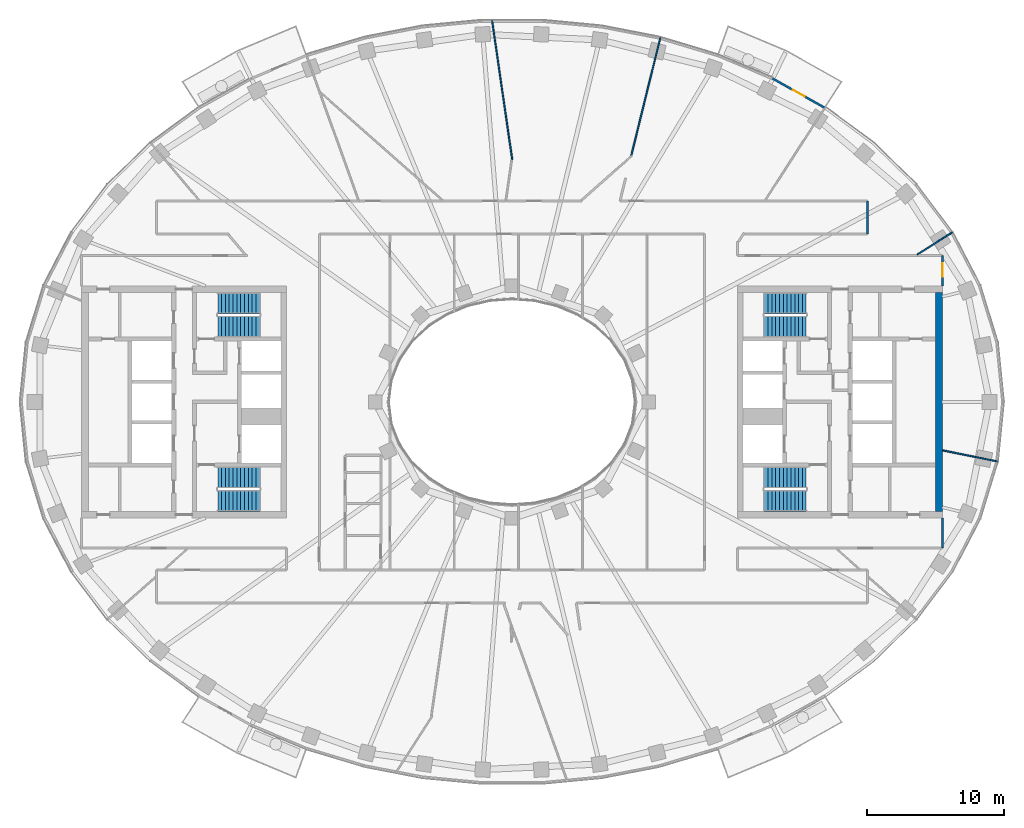
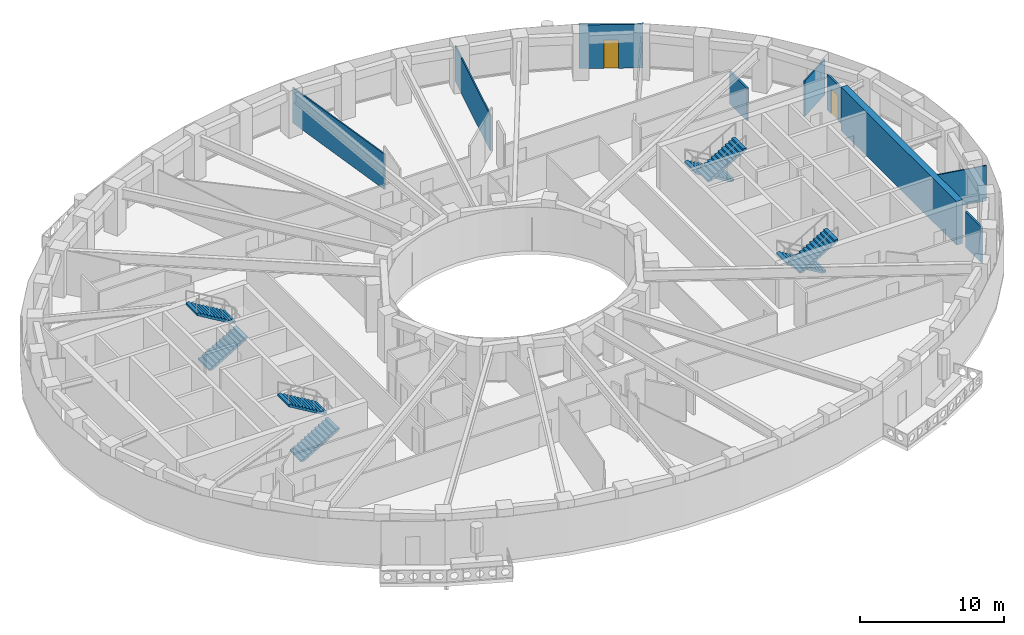
# One storey, part 7 of 15: 9 walls, 8 stair flights, 2 doors, 2 openings, 4 elements without a shape of their own.
"""IFC4 building model written with IfcOpenShell, lengths in metres."""

from ifc_helpers import new_model, si_unit, direction, frame, frame_2d, origin, place, context, subcontext, project, spatial, polyline, rectangle, outline, extrude, material, layer, layer_set, type_object, element, fill, aggregate, save


model = new_model("IFC4")

# Units and contexts
model_context = context("Model", 3, precision=1e-05, world=origin(), true_north=direction((0.0, 1.0)))
body_context = subcontext(model_context, "Body", "Model", "MODEL_VIEW")
ifc_project = project(units=[si_unit("LENGTHUNIT", "METRE"), si_unit("AREAUNIT", "SQUARE_METRE"), si_unit("VOLUMEUNIT", "CUBIC_METRE"), si_unit("PLANEANGLEUNIT", "RADIAN"), si_unit("MASSUNIT", "GRAM", prefix="KILO")], contexts=[model_context])

# Site, building, storey
site_placement = place(None, origin())
site = spatial("IfcSite", under=ifc_project, at=site_placement, CompositionType="ELEMENT")
building_placement = place(site_placement, origin())
building = spatial("IfcBuilding", under=site, at=building_placement, Name="Noorbagh Ring Tower", CompositionType="ELEMENT")
storey_placement = place(building_placement, frame((0.0, 0.0, 253.5)))
storey = spatial("IfcBuildingStorey", under=building, at=storey_placement, Name="L53", CompositionType="ELEMENT", Elevation=253.5)

# Walls
ifc_material_1 = material(Name="Concrete C60/75", Category="concrete")
ifc_layer_1 = layer(ifc_material_1, 0.5)
ifc_layer_set_1 = layer_set([ifc_layer_1], Name="Concrete C60/75")
wall_type_1 = type_object("IfcWallType", Name="CORE-WALL-500-C60-75-EI240", PredefinedType="SHEAR", material=ifc_layer_set_1)
wall_1_placement = place(storey_placement, frame((31.25, -8.0, 0.0), z_axis=(0.0, 0.0, 1.0), x_axis=(0.0, 1.0, 0.0)))
element("IfcWall", 1, at=wall_1_placement, inside=storey, type_object=wall_type_1, Name="Core wall E", PredefinedType="SHEAR", context=body_context, shape_type="SweptSolid", body=[
    extrude(rectangle(XDim=16.0, YDim=0.5, at=frame_2d((8.0, 0.0))), origin(), (0.0, 0.0, 1.0), 3.699951171875),
])
ifc_material_2 = material(Name="Gypsum board on steel studs", Category="steel")
ifc_layer_2 = layer(ifc_material_2, 0.14990234375)
ifc_layer_set_2 = layer_set([ifc_layer_2], Name="Gypsum board on steel studs")
wall_type_2 = type_object("IfcWallType", Name="CORRIDOR PARTITION 150 EI 30", PredefinedType="PARTITIONING", material=ifc_layer_set_2)
wall_2_placement = place(storey_placement, frame((26.0, 12.300048828125, 0.0), z_axis=(0.0, 0.0, 1.0), x_axis=(0.0, 1.0, 0.0)))
element("IfcWall", 2, at=wall_2_placement, inside=storey, type_object=wall_type_2, Name="L53/wall/P72", PredefinedType="PARTITIONING", context=body_context, shape_type="SweptSolid", body=[
    extrude(rectangle(XDim=2.39990234375, YDim=0.14990234375, at=frame_2d((1.199951171875, 0.0))), origin(), (0.0, 0.0, 1.0), 2.75),
])
wall_3_placement = place(storey_placement, frame((31.5, -10.699951171875, 0.0), z_axis=(0.0, 0.0, 1.0), x_axis=(0.0, 1.0, 0.0)))
element("IfcWall", 3, at=wall_3_placement, inside=storey, type_object=wall_type_2, Name="L53/wall/P74", PredefinedType="PARTITIONING", context=body_context, shape_type="SweptSolid", body=[
    extrude(rectangle(XDim=2.199951171875, YDim=0.14990234375, at=frame_2d((1.10009765625, 0.0))), origin(), (0.0, 0.0, 1.0), 3.0),
])

# Wall, opening, door
wall_4_placement = place(storey_placement, frame((31.5, 8.5, 0.0), z_axis=(0.0, 0.0, 1.0), x_axis=(0.0, 1.0, 0.0)))
wall_4 = element("IfcWall", 4, at=wall_4_placement, inside=storey, type_object=wall_type_2, Name="L53/wall/P76", PredefinedType="PARTITIONING", context=body_context, shape_type="SweptSolid", body=[
    extrude(rectangle(XDim=2.199951171875, YDim=0.14990234375, at=frame_2d((1.10009765625, 0.0))), origin(), (0.0, 0.0, 1.0), 3.0),
])
opening_1_placement = place(wall_4_placement, frame((0.64990234375, 0.0, 0.0)))
opening_1 = element("IfcOpeningElement", 5, at=opening_1_placement, cuts=wall_4, Name="Opening D1", PredefinedType="OPENING", context=body_context, shape_type="SweptSolid", body=[
    extrude(rectangle(XDim=1.0, YDim=2.10009765625, at=frame_2d((0.5, 1.050048828125))), frame((0.0, 0.0849609375, 0.0), z_axis=(0.0, -1.0, 0.0), x_axis=(1.0, 0.0, 0.0)), (0.0, 0.0, 1.0), 0.169921875),
])
ifc_material_3 = material(Name="Timber, painted", Category="wood")
door_type_1 = type_object("IfcDoorType", Name="DOOR 1000 X 2100 FD30", OperationType="SINGLE_SWING_LEFT", PredefinedType="DOOR", material=ifc_material_3)
door_1_placement = place(opening_1_placement, origin())
door_1 = element("IfcDoor", 6, at=door_1_placement, inside=storey, type_object=door_type_1, Name="L53-D20", OperationType="SINGLE_SWING_RIGHT", OverallHeight=2.10009765625, OverallWidth=1.0, PredefinedType="DOOR", context=body_context, shape_type="SweptSolid", body=[
    extrude(rectangle(XDim=1.0, YDim=2.10009765625, at=frame_2d((0.5, 1.050048828125))), frame((0.0, 0.02490234375, 0.0), z_axis=(0.0, -1.0, 0.0), x_axis=(1.0, 0.0, 0.0)), (0.0, 0.0, 1.0), 0.050048828125),
])
fill(opening_1, door_1)

ifc_material_4 = material(Name="Insulated aluminium clad panel", Category="aluminium")
ifc_layer_3 = layer(ifc_material_4, 0.14990234375)
ifc_layer_set_3 = layer_set([ifc_layer_3], Name="Insulated aluminium clad panel")
wall_type_3 = type_object("IfcWallType", Name="ENV-WALL-DOOR", PredefinedType="STANDARD", material=ifc_layer_set_3)
wall_5_placement = place(storey_placement, frame((22.913330078125, 21.508544921875, 0.0), z_axis=(0.0, 0.0, 1.0), x_axis=(-0.872046572975, 0.489422899509, 0.0)))
wall_5 = element("IfcWall", 7, at=wall_5_placement, inside=storey, type_object=wall_type_3, Name="Balcony door wall chord 07", PredefinedType="STANDARD", context=body_context, shape_type="SweptSolid", body=[
    extrude(rectangle(XDim=4.425537109375, YDim=0.14990234375, at=frame_2d((2.212890625, 0.0))), origin(), (0.0, 0.0, 1.0), 3.699951171875),
])
opening_2_placement = place(wall_5_placement, frame((1.712646484375, 0.0, 0.0)))
opening_2 = element("IfcOpeningElement", 8, at=opening_2_placement, cuts=wall_5, Name="Opening D-BL", PredefinedType="OPENING", context=body_context, shape_type="SweptSolid", body=[
    extrude(rectangle(XDim=1.0, YDim=2.39990234375, at=frame_2d((0.5, 1.199951171875))), frame((0.0, 0.0849609375, 0.0), z_axis=(0.0, -1.0, 0.0), x_axis=(1.0, 0.0, 0.0)), (0.0, 0.0, 1.0), 0.169921875),
])
ifc_material_5 = material(Name="Aluminium and glass", Category="aluminium")
door_type_2 = type_object("IfcDoorType", Name="ENV-DOOR-BALCONY", OperationType="SINGLE_SWING_LEFT", PredefinedType="DOOR", material=ifc_material_5)
door_2_placement = place(opening_2_placement, origin())
door_2 = element("IfcDoor", 9, at=door_2_placement, inside=storey, type_object=door_type_2, Name="Balcony door chord 07", OperationType="SINGLE_SWING_RIGHT", OverallHeight=2.39990234375, OverallWidth=1.0, PredefinedType="DOOR", context=body_context, shape_type="SweptSolid", body=[
    extrude(rectangle(XDim=1.0, YDim=2.39990234375, at=frame_2d((0.5, 1.199951171875))), frame((0.0, 0.02490234375, 0.0), z_axis=(0.0, -1.0, 0.0), x_axis=(1.0, 0.0, 0.0)), (0.0, 0.0, 1.0), 0.050048828125),
])
fill(opening_2, door_2)

# Walls
ifc_material_6 = material(Name="Gypsum board on steel studs", Category="steel")
ifc_layer_4 = layer(ifc_material_6, 0.10009765625)
ifc_layer_set_4 = layer_set([ifc_layer_4], Name="Gypsum board on steel studs")
wall_type_4 = type_object("IfcWallType", Name="PARTITION 100 GYPSUM", PredefinedType="PARTITIONING", material=ifc_layer_set_4)
wall_6_placement = place(storey_placement, frame((-1.452880859375, 27.89404296875, 0.0), z_axis=(0.0, 0.0, 1.0), x_axis=(0.143027592995, -0.989718701269, 0.0)))
element("IfcWall", 10, at=wall_6_placement, inside=storey, type_object=wall_type_4, Name="L53/wall/P38", PredefinedType="PARTITIONING", context=body_context, shape_type="SweptSolid", body=[
    extrude(rectangle(XDim=10.298095703125, YDim=0.10009765625, at=frame_2d((5.14892578125, 0.0))), origin(), (0.0, 0.0, 1.0), 3.0),
])
wall_7_placement = place(storey_placement, frame((8.72900390625, 18.0458984375, 0.0), z_axis=(0.0, 0.0, 1.0), x_axis=(0.239772155265, 0.970829188663, 0.0)))
element("IfcWall", 11, at=wall_7_placement, inside=storey, type_object=wall_type_4, Name="L53/wall/P58", PredefinedType="PARTITIONING", context=body_context, shape_type="SweptSolid", body=[
    extrude(rectangle(XDim=8.8583984375, YDim=0.10009765625, at=frame_2d((4.42919921875, 0.0))), origin(), (0.0, 0.0, 1.0), 3.0),
])
wall_8_placement = place(storey_placement, frame((29.636962890625, 10.777099609375, 0.0), z_axis=(0.0, 0.0, 1.0), x_axis=(0.844810627195, 0.535065420467, 0.0)))
element("IfcWall", 12, at=wall_8_placement, inside=storey, type_object=wall_type_4, Name="L53/wall/P73", PredefinedType="PARTITIONING", context=body_context, shape_type="SweptSolid", body=[
    extrude(rectangle(XDim=3.0478515625, YDim=0.10009765625, at=frame_2d((1.52392578125, 0.0))), origin(), (0.0, 0.0, 1.0), 3.0),
])
wall_9_placement = place(storey_placement, frame((31.5, -3.5419921875, 0.0), z_axis=(0.0, 0.0, 1.0), x_axis=(0.980357474535, -0.197228857227, 0.0)))
element("IfcWall", 13, at=wall_9_placement, inside=storey, type_object=wall_type_4, Name="L53/wall/P75", PredefinedType="PARTITIONING", context=body_context, shape_type="SweptSolid", body=[
    extrude(rectangle(XDim=4.09228515625, YDim=0.10009765625, at=frame_2d((2.046142578125, 0.0))), origin(), (0.0, 0.0, 1.0), 3.0),
])

# Stair, stair flights
ifc_material_7 = material(Name="Concrete C40/50", Category="concrete")
stair_type = type_object("IfcStairType", Name="CORE-STAIR", PredefinedType="HALF_TURN_STAIR", material=ifc_material_7)
stair_1_placement = place(storey_placement, origin())
stair_1 = element("IfcStair", 14, at=stair_1_placement, inside=storey, type_object=stair_type, Name="L53 Exit stair ST1", PredefinedType="HALF_TURN_STAIR")
ifc_material_8 = material(Name="Concrete C40/50", Category="concrete")
stair_flight_type = type_object("IfcStairFlightType", Name="CORE-STAIR-FLIGHT", PredefinedType="STRAIGHT", material=ifc_material_8)
stair_flight_1_placement = place(storey_placement, frame((-21.530029296875, 5.52490234375, 0.0), z_axis=(0.0, 0.0, 1.0), x_axis=(1.0, 0.0, 0.0)))
stair_flight_1 = element("IfcStairFlight", 15, at=stair_flight_1_placement, type_object=stair_flight_type, Name="ST1 flight 1", NumberOfRisers=12, NumberOfTreads=11, PredefinedType="STRAIGHT", RiserHeight=0.166666667, TreadLength=0.28, context=body_context, shape_type="SweptSolid", body=[
    extrude(outline(polyline([(0.0, 0.0), (0.0, 0.166748046875), (0.280029296875, 0.166748046875), (0.280029296875, 0.333251953125), (0.56005859375, 0.333251953125), (0.56005859375, 0.5), (0.840087890625, 0.5), (0.840087890625, 0.666748046875), (1.1201171875, 0.666748046875), (1.1201171875, 0.833251953125), (1.39990234375, 0.833251953125), (1.39990234375, 1.0), (1.679931640625, 1.0), (1.679931640625, 1.166748046875), (1.9599609375, 1.166748046875), (1.9599609375, 1.333251953125), (2.239990234375, 1.333251953125), (2.239990234375, 1.5), (2.52001953125, 1.5), (2.52001953125, 1.666748046875), (2.800048828125, 1.666748046875), (2.800048828125, 1.833251953125), (3.080078125, 1.833251953125), (3.080078125, 2.0), (3.080078125, 1.658935546875), (0.29296875, 0.0), (0.0, 0.0)])), frame((0.0, 0.77490234375, 0.0), z_axis=(0.0, -1.0, 0.0), x_axis=(1.0, 0.0, 0.0)), (0.0, 0.0, 1.0), 1.550048828125),
])
stair_flight_2_placement = place(storey_placement, frame((-18.449951171875, 7.22509765625, 2.0), z_axis=(0.0, 0.0, 1.0), x_axis=(-1.0, 0.0, 0.0)))
stair_flight_2 = element("IfcStairFlight", 16, at=stair_flight_2_placement, type_object=stair_flight_type, Name="ST1 flight 2", NumberOfRisers=12, NumberOfTreads=11, PredefinedType="STRAIGHT", RiserHeight=0.166666667, TreadLength=0.28, context=body_context, shape_type="SweptSolid", body=[
    extrude(outline(polyline([(0.0, 0.0), (0.0, 0.166748046875), (0.280029296875, 0.166748046875), (0.280029296875, 0.333251953125), (0.56005859375, 0.333251953125), (0.56005859375, 0.5), (0.840087890625, 0.5), (0.840087890625, 0.666748046875), (1.1201171875, 0.666748046875), (1.1201171875, 0.833251953125), (1.39990234375, 0.833251953125), (1.39990234375, 1.0), (1.679931640625, 1.0), (1.679931640625, 1.166748046875), (1.9599609375, 1.166748046875), (1.9599609375, 1.333251953125), (2.239990234375, 1.333251953125), (2.239990234375, 1.5), (2.52001953125, 1.5), (2.52001953125, 1.666748046875), (2.800048828125, 1.666748046875), (2.800048828125, 1.833251953125), (3.080078125, 1.833251953125), (3.080078125, 2.0), (3.080078125, 1.658935546875), (0.29296875, 0.0), (0.0, 0.0)])), frame((0.0, 0.77490234375, 0.0), z_axis=(0.0, -1.0, 0.0), x_axis=(1.0, 0.0, 0.0)), (0.0, 0.0, 1.0), 1.550048828125),
])
aggregate(stair_1, [stair_flight_1, stair_flight_2])

stair_2_placement = place(storey_placement, origin())
stair_2 = element("IfcStair", 17, at=stair_2_placement, inside=storey, type_object=stair_type, Name="L53 Exit stair ST2", PredefinedType="HALF_TURN_STAIR")
stair_flight_3_placement = place(storey_placement, frame((-21.530029296875, -7.22509765625, 0.0), z_axis=(0.0, 0.0, 1.0), x_axis=(1.0, 0.0, 0.0)))
stair_flight_3 = element("IfcStairFlight", 18, at=stair_flight_3_placement, type_object=stair_flight_type, Name="ST2 flight 1", NumberOfRisers=12, NumberOfTreads=11, PredefinedType="STRAIGHT", RiserHeight=0.166666667, TreadLength=0.28, context=body_context, shape_type="SweptSolid", body=[
    extrude(outline(polyline([(0.0, 0.0), (0.0, 0.166748046875), (0.280029296875, 0.166748046875), (0.280029296875, 0.333251953125), (0.56005859375, 0.333251953125), (0.56005859375, 0.5), (0.840087890625, 0.5), (0.840087890625, 0.666748046875), (1.1201171875, 0.666748046875), (1.1201171875, 0.833251953125), (1.39990234375, 0.833251953125), (1.39990234375, 1.0), (1.679931640625, 1.0), (1.679931640625, 1.166748046875), (1.9599609375, 1.166748046875), (1.9599609375, 1.333251953125), (2.239990234375, 1.333251953125), (2.239990234375, 1.5), (2.52001953125, 1.5), (2.52001953125, 1.666748046875), (2.800048828125, 1.666748046875), (2.800048828125, 1.833251953125), (3.080078125, 1.833251953125), (3.080078125, 2.0), (3.080078125, 1.658935546875), (0.29296875, 0.0), (0.0, 0.0)])), frame((0.0, 0.77490234375, 0.0), z_axis=(0.0, -1.0, 0.0), x_axis=(1.0, 0.0, 0.0)), (0.0, 0.0, 1.0), 1.550048828125),
])
stair_flight_4_placement = place(storey_placement, frame((-18.449951171875, -5.52490234375, 2.0), z_axis=(0.0, 0.0, 1.0), x_axis=(-1.0, 0.0, 0.0)))
stair_flight_4 = element("IfcStairFlight", 19, at=stair_flight_4_placement, type_object=stair_flight_type, Name="ST2 flight 2", NumberOfRisers=12, NumberOfTreads=11, PredefinedType="STRAIGHT", RiserHeight=0.166666667, TreadLength=0.28, context=body_context, shape_type="SweptSolid", body=[
    extrude(outline(polyline([(0.0, 0.0), (0.0, 0.166748046875), (0.280029296875, 0.166748046875), (0.280029296875, 0.333251953125), (0.56005859375, 0.333251953125), (0.56005859375, 0.5), (0.840087890625, 0.5), (0.840087890625, 0.666748046875), (1.1201171875, 0.666748046875), (1.1201171875, 0.833251953125), (1.39990234375, 0.833251953125), (1.39990234375, 1.0), (1.679931640625, 1.0), (1.679931640625, 1.166748046875), (1.9599609375, 1.166748046875), (1.9599609375, 1.333251953125), (2.239990234375, 1.333251953125), (2.239990234375, 1.5), (2.52001953125, 1.5), (2.52001953125, 1.666748046875), (2.800048828125, 1.666748046875), (2.800048828125, 1.833251953125), (3.080078125, 1.833251953125), (3.080078125, 2.0), (3.080078125, 1.658935546875), (0.29296875, 0.0), (0.0, 0.0)])), frame((0.0, 0.77490234375, 0.0), z_axis=(0.0, -1.0, 0.0), x_axis=(1.0, 0.0, 0.0)), (0.0, 0.0, 1.0), 1.550048828125),
])
aggregate(stair_2, [stair_flight_3, stair_flight_4])

stair_3_placement = place(storey_placement, origin())
stair_3 = element("IfcStair", 20, at=stair_3_placement, inside=storey, type_object=stair_type, Name="L53 Exit stair ST3", PredefinedType="HALF_TURN_STAIR")
stair_flight_5_placement = place(storey_placement, frame((21.530029296875, 7.22509765625, 0.0), z_axis=(0.0, 0.0, 1.0), x_axis=(-1.0, 0.0, 0.0)))
stair_flight_5 = element("IfcStairFlight", 21, at=stair_flight_5_placement, type_object=stair_flight_type, Name="ST3 flight 1", NumberOfRisers=12, NumberOfTreads=11, PredefinedType="STRAIGHT", RiserHeight=0.166666667, TreadLength=0.28, context=body_context, shape_type="SweptSolid", body=[
    extrude(outline(polyline([(0.0, 0.0), (0.0, 0.166748046875), (0.280029296875, 0.166748046875), (0.280029296875, 0.333251953125), (0.56005859375, 0.333251953125), (0.56005859375, 0.5), (0.840087890625, 0.5), (0.840087890625, 0.666748046875), (1.1201171875, 0.666748046875), (1.1201171875, 0.833251953125), (1.39990234375, 0.833251953125), (1.39990234375, 1.0), (1.679931640625, 1.0), (1.679931640625, 1.166748046875), (1.9599609375, 1.166748046875), (1.9599609375, 1.333251953125), (2.239990234375, 1.333251953125), (2.239990234375, 1.5), (2.52001953125, 1.5), (2.52001953125, 1.666748046875), (2.800048828125, 1.666748046875), (2.800048828125, 1.833251953125), (3.080078125, 1.833251953125), (3.080078125, 2.0), (3.080078125, 1.658935546875), (0.29296875, 0.0), (0.0, 0.0)])), frame((0.0, 0.77490234375, 0.0), z_axis=(0.0, -1.0, 0.0), x_axis=(1.0, 0.0, 0.0)), (0.0, 0.0, 1.0), 1.550048828125),
])
stair_flight_6_placement = place(storey_placement, frame((18.449951171875, 5.52490234375, 2.0), z_axis=(0.0, 0.0, 1.0), x_axis=(1.0, 0.0, 0.0)))
stair_flight_6 = element("IfcStairFlight", 22, at=stair_flight_6_placement, type_object=stair_flight_type, Name="ST3 flight 2", NumberOfRisers=12, NumberOfTreads=11, PredefinedType="STRAIGHT", RiserHeight=0.166666667, TreadLength=0.28, context=body_context, shape_type="SweptSolid", body=[
    extrude(outline(polyline([(0.0, 0.0), (0.0, 0.166748046875), (0.280029296875, 0.166748046875), (0.280029296875, 0.333251953125), (0.56005859375, 0.333251953125), (0.56005859375, 0.5), (0.840087890625, 0.5), (0.840087890625, 0.666748046875), (1.1201171875, 0.666748046875), (1.1201171875, 0.833251953125), (1.39990234375, 0.833251953125), (1.39990234375, 1.0), (1.679931640625, 1.0), (1.679931640625, 1.166748046875), (1.9599609375, 1.166748046875), (1.9599609375, 1.333251953125), (2.239990234375, 1.333251953125), (2.239990234375, 1.5), (2.52001953125, 1.5), (2.52001953125, 1.666748046875), (2.800048828125, 1.666748046875), (2.800048828125, 1.833251953125), (3.080078125, 1.833251953125), (3.080078125, 2.0), (3.080078125, 1.658935546875), (0.29296875, 0.0), (0.0, 0.0)])), frame((0.0, 0.77490234375, 0.0), z_axis=(0.0, -1.0, 0.0), x_axis=(1.0, 0.0, 0.0)), (0.0, 0.0, 1.0), 1.550048828125),
])
aggregate(stair_3, [stair_flight_5, stair_flight_6])

stair_4_placement = place(storey_placement, origin())
stair_4 = element("IfcStair", 23, at=stair_4_placement, inside=storey, type_object=stair_type, Name="L53 Exit stair ST4", PredefinedType="HALF_TURN_STAIR")
stair_flight_7_placement = place(storey_placement, frame((21.530029296875, -5.52490234375, 0.0), z_axis=(0.0, 0.0, 1.0), x_axis=(-1.0, 0.0, 0.0)))
stair_flight_7 = element("IfcStairFlight", 24, at=stair_flight_7_placement, type_object=stair_flight_type, Name="ST4 flight 1", NumberOfRisers=12, NumberOfTreads=11, PredefinedType="STRAIGHT", RiserHeight=0.166666667, TreadLength=0.28, context=body_context, shape_type="SweptSolid", body=[
    extrude(outline(polyline([(0.0, 0.0), (0.0, 0.166748046875), (0.280029296875, 0.166748046875), (0.280029296875, 0.333251953125), (0.56005859375, 0.333251953125), (0.56005859375, 0.5), (0.840087890625, 0.5), (0.840087890625, 0.666748046875), (1.1201171875, 0.666748046875), (1.1201171875, 0.833251953125), (1.39990234375, 0.833251953125), (1.39990234375, 1.0), (1.679931640625, 1.0), (1.679931640625, 1.166748046875), (1.9599609375, 1.166748046875), (1.9599609375, 1.333251953125), (2.239990234375, 1.333251953125), (2.239990234375, 1.5), (2.52001953125, 1.5), (2.52001953125, 1.666748046875), (2.800048828125, 1.666748046875), (2.800048828125, 1.833251953125), (3.080078125, 1.833251953125), (3.080078125, 2.0), (3.080078125, 1.658935546875), (0.29296875, 0.0), (0.0, 0.0)])), frame((0.0, 0.77490234375, 0.0), z_axis=(0.0, -1.0, 0.0), x_axis=(1.0, 0.0, 0.0)), (0.0, 0.0, 1.0), 1.550048828125),
])
stair_flight_8_placement = place(storey_placement, frame((18.449951171875, -7.22509765625, 2.0), z_axis=(0.0, 0.0, 1.0), x_axis=(1.0, 0.0, 0.0)))
stair_flight_8 = element("IfcStairFlight", 25, at=stair_flight_8_placement, type_object=stair_flight_type, Name="ST4 flight 2", NumberOfRisers=12, NumberOfTreads=11, PredefinedType="STRAIGHT", RiserHeight=0.166666667, TreadLength=0.28, context=body_context, shape_type="SweptSolid", body=[
    extrude(outline(polyline([(0.0, 0.0), (0.0, 0.166748046875), (0.280029296875, 0.166748046875), (0.280029296875, 0.333251953125), (0.56005859375, 0.333251953125), (0.56005859375, 0.5), (0.840087890625, 0.5), (0.840087890625, 0.666748046875), (1.1201171875, 0.666748046875), (1.1201171875, 0.833251953125), (1.39990234375, 0.833251953125), (1.39990234375, 1.0), (1.679931640625, 1.0), (1.679931640625, 1.166748046875), (1.9599609375, 1.166748046875), (1.9599609375, 1.333251953125), (2.239990234375, 1.333251953125), (2.239990234375, 1.5), (2.52001953125, 1.5), (2.52001953125, 1.666748046875), (2.800048828125, 1.666748046875), (2.800048828125, 1.833251953125), (3.080078125, 1.833251953125), (3.080078125, 2.0), (3.080078125, 1.658935546875), (0.29296875, 0.0), (0.0, 0.0)])), frame((0.0, 0.77490234375, 0.0), z_axis=(0.0, -1.0, 0.0), x_axis=(1.0, 0.0, 0.0)), (0.0, 0.0, 1.0), 1.550048828125),
])
aggregate(stair_4, [stair_flight_7, stair_flight_8])

save(model, "model.ifc")
